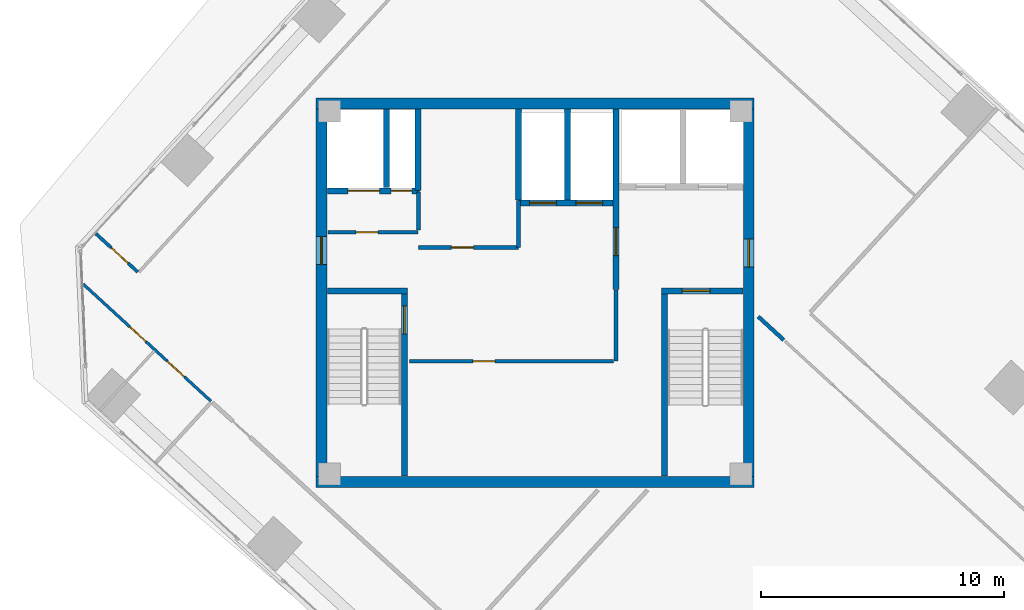
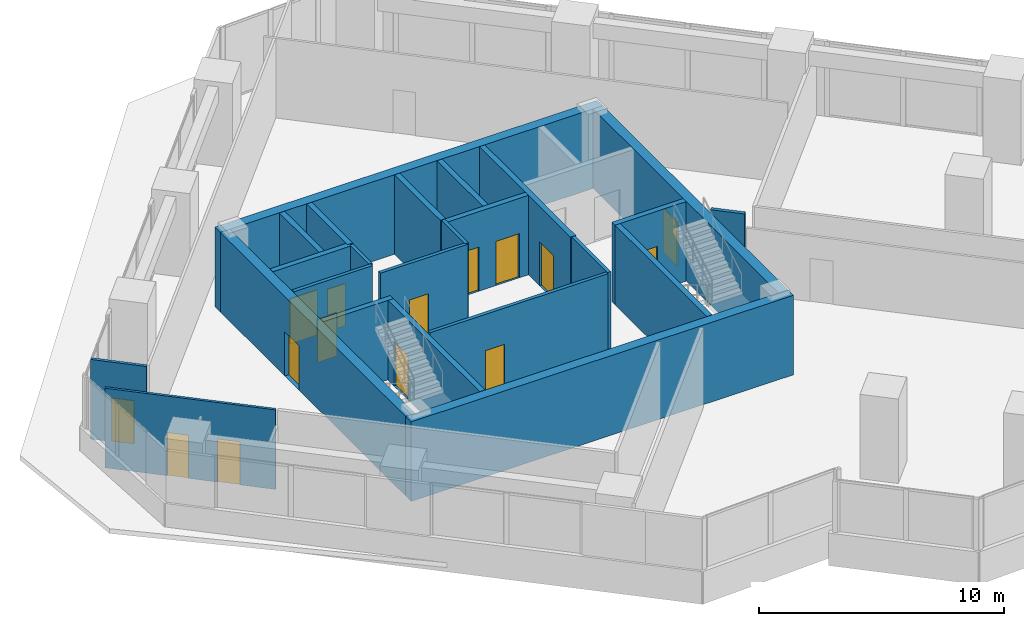
# One storey, part 14 of 19: 24 walls, 15 doors, 15 openings.
"""IFC4 building model written with IfcOpenShell, lengths in metres."""

from ifc_helpers import new_model, si_unit, direction, frame, frame_2d, origin, place, context, subcontext, project, spatial, rectangle, extrude, source, transform, mapped, material, layer, layer_set, type_object, element, fill, save


model = new_model("IFC4")

# Units and contexts
model_context = context("Model", 3, precision=1e-05, world=origin(), true_north=direction((0.0, 1.0)))
body_context = subcontext(model_context, "Body", "Model", "MODEL_VIEW")
ifc_project = project(units=[si_unit("LENGTHUNIT", "METRE"), si_unit("AREAUNIT", "SQUARE_METRE"), si_unit("VOLUMEUNIT", "CUBIC_METRE"), si_unit("PLANEANGLEUNIT", "RADIAN"), si_unit("MASSUNIT", "GRAM", prefix="KILO")], contexts=[model_context])

# Site, building, storey
site_placement = place(None, origin())
site = spatial("IfcSite", under=ifc_project, at=site_placement, CompositionType="ELEMENT")
building_placement = place(site_placement, origin())
building = spatial("IfcBuilding", under=site, at=building_placement, Name="Torre Montelarca", CompositionType="ELEMENT")
storey_placement = place(building_placement, frame((0.0, 0.0, 229.0)))
storey = spatial("IfcBuildingStorey", under=building, at=storey_placement, Name="L51", CompositionType="ELEMENT", Elevation=229.0)

# Wall, opening, door
ifc_material_1 = material(Name="Concrete C40/50", Category="concrete")
ifc_layer_1 = layer(ifc_material_1, 0.25, Name="Concrete C40/50", Category="concrete")
ifc_layer_set_1 = layer_set([ifc_layer_1], Name="Concrete C40/50")
wall_type_1 = type_object("IfcWallType", Name="CW-SHAFT-250", PredefinedType="SHEAR", material=ifc_layer_set_1)
wall_1_placement = place(storey_placement, frame((12.625, 24.4599609375, 0.0), z_axis=(0.0, 0.0, 1.0), x_axis=(0.0, 1.0, 0.0)))
wall_1 = element("IfcWall", 1, at=wall_1_placement, inside=storey, type_object=wall_type_1, Name="L51 Core Shear Wall SH-ST1-E", PredefinedType="SHEAR", context=body_context, shape_type="SweptSolid", body=[
    extrude(rectangle(XDim=7.489990234375, YDim=0.25, at=frame_2d((3.7451171875, 0.0))), origin(), (0.0, 0.0, 1.0), 3.9599609375),
])
opening_1_placement = place(wall_1_placement, frame((5.85009765625, 0.0, 0.0)))
opening_1 = element("IfcOpeningElement", 2, at=opening_1_placement, cuts=wall_1, Name="Opening FD-ST1", PredefinedType="OPENING", context=body_context, shape_type="SweptSolid", body=[
    extrude(rectangle(XDim=1.14990234375, YDim=2.199951171875, at=frame_2d((0.574951171875, 1.10009765625))), frame((0.0, 0.135009765625, 0.0), z_axis=(0.0, -1.0, 0.0), x_axis=(1.0, 0.0, 0.0)), (0.0, 0.0, 1.0), 0.27001953125),
])
ifc_material_2 = material(Name="Galvanized steel fire door", Category="steel")
door_type_1 = type_object("IfcDoorType", Name="DR-STAIR-115", OperationType="NOTDEFINED", PredefinedType="DOOR", material=ifc_material_2)
shared_shape_1 = source(origin(), body_context, "Body", "SweptSolid", [
    extrude(rectangle(XDim=1.14990234375, YDim=2.199951171875, at=frame_2d((0.574951171875, 1.10009765625))), frame((0.0, 0.02490234375, 0.0), z_axis=(0.0, -1.0, 0.0), x_axis=(1.0, 0.0, 0.0)), (0.0, 0.0, 1.0), 0.050048828125),
])
door_1_placement = place(opening_1_placement, origin())
door_1 = element("IfcDoor", 3, at=door_1_placement, inside=storey, type_object=door_type_1, Name="L51 Exit Stair ST1 Fire Door", OperationType="SINGLE_SWING_RIGHT", OverallHeight=2.199951171875, OverallWidth=1.14990234375, PredefinedType="DOOR", context=body_context, shape_type="MappedRepresentation", body=[
    mapped(shared_shape_1, transform((0.0, 0.0, 0.0), scale=1.0)),
])
fill(opening_1, door_1)

# Walls
wall_2_placement = place(storey_placement, frame((9.4599609375, 32.074951171875, 0.0), z_axis=(0.0, 0.0, 1.0), x_axis=(1.0, 0.0, 0.0)))
element("IfcWall", 4, at=wall_2_placement, inside=storey, type_object=wall_type_1, Name="L51 Core Shear Wall SH-ST1-N", PredefinedType="SHEAR", context=body_context, shape_type="SweptSolid", body=[
    extrude(rectangle(XDim=3.2900390625, YDim=0.25, at=frame_2d((1.64501953125, 0.0))), origin(), (0.0, 0.0, 1.0), 3.9599609375),
])
wall_3_placement = place(storey_placement, frame((23.31494140625, 24.4599609375, 0.0), z_axis=(0.0, 0.0, 1.0), x_axis=(0.0, 1.0, 0.0)))
element("IfcWall", 5, at=wall_3_placement, inside=storey, type_object=wall_type_1, Name="L51 Core Shear Wall SH-ST2-W", PredefinedType="SHEAR", context=body_context, shape_type="SweptSolid", body=[
    extrude(rectangle(XDim=7.489990234375, YDim=0.25, at=frame_2d((3.7451171875, 0.0))), origin(), (0.0, 0.0, 1.0), 3.9599609375),
])

# Wall, opening, door
wall_4_placement = place(storey_placement, frame((23.18994140625, 32.074951171875, 0.0), z_axis=(0.0, 0.0, 1.0), x_axis=(1.0, 0.0, 0.0)))
wall_4 = element("IfcWall", 6, at=wall_4_placement, inside=storey, type_object=wall_type_1, Name="L51 Core Shear Wall SH-ST2-N", PredefinedType="SHEAR", context=body_context, shape_type="SweptSolid", body=[
    extrude(rectangle(XDim=3.35009765625, YDim=0.25, at=frame_2d((1.675048828125, 0.0))), origin(), (0.0, 0.0, 1.0), 3.9599609375),
])
opening_2_placement = place(wall_4_placement, frame((0.85009765625, 0.0, 0.0)))
opening_2 = element("IfcOpeningElement", 7, at=opening_2_placement, cuts=wall_4, Name="Opening FD-ST1", PredefinedType="OPENING", context=body_context, shape_type="SweptSolid", body=[
    extrude(rectangle(XDim=1.14990234375, YDim=2.199951171875, at=frame_2d((0.574951171875, 1.10009765625))), frame((0.0, 0.135009765625, 0.0), z_axis=(0.0, -1.0, 0.0), x_axis=(1.0, 0.0, 0.0)), (0.0, 0.0, 1.0), 0.27001953125),
])
door_2_placement = place(opening_2_placement, origin())
door_2 = element("IfcDoor", 8, at=door_2_placement, inside=storey, type_object=door_type_1, Name="L51 Exit Stair ST2 Fire Door", OperationType="SINGLE_SWING_RIGHT", OverallHeight=2.199951171875, OverallWidth=1.14990234375, PredefinedType="DOOR", context=body_context, shape_type="MappedRepresentation", body=[
    mapped(shared_shape_1, transform((0.0, 0.0, 0.0), scale=1.0)),
])
fill(opening_2, door_2)

wall_5_placement = place(storey_placement, frame((21.320068359375, 32.1201171875, 0.0), z_axis=(0.0, 0.0, 1.0), x_axis=(0.0, 1.0, 0.0)))
wall_5 = element("IfcWall", 9, at=wall_5_placement, inside=storey, type_object=wall_type_1, Name="L51 Core Shear Wall SH-FFL-W", PredefinedType="SHEAR", context=body_context, shape_type="SweptSolid", body=[
    extrude(rectangle(XDim=7.419921875, YDim=0.25, at=frame_2d((3.7099609375, 0.0))), origin(), (0.0, 0.0, 1.0), 3.9599609375),
])
opening_3_placement = place(wall_5_placement, frame((1.39990234375, 0.0, 0.0)))
opening_3 = element("IfcOpeningElement", 10, at=opening_3_placement, cuts=wall_5, Name="Opening FD-LB1", PredefinedType="OPENING", context=body_context, shape_type="SweptSolid", body=[
    extrude(rectangle(XDim=1.14990234375, YDim=2.199951171875, at=frame_2d((0.574951171875, 1.10009765625))), frame((0.0, 0.135009765625, 0.0), z_axis=(0.0, -1.0, 0.0), x_axis=(1.0, 0.0, 0.0)), (0.0, 0.0, 1.0), 0.27001953125),
])
ifc_material_3 = material(Name="Acoustic timber-veneered fire door", Category="wood")
door_type_2 = type_object("IfcDoorType", Name="DR-LOBBY-115", OperationType="NOTDEFINED", PredefinedType="DOOR", material=ifc_material_3)
shared_shape_2 = source(origin(), body_context, "Body", "SweptSolid", [
    extrude(rectangle(XDim=1.14990234375, YDim=2.199951171875, at=frame_2d((0.574951171875, 1.10009765625))), frame((0.0, 0.02490234375, 0.0), z_axis=(0.0, -1.0, 0.0), x_axis=(1.0, 0.0, 0.0)), (0.0, 0.0, 1.0), 0.050048828125),
])
door_3_placement = place(opening_3_placement, origin())
door_3 = element("IfcDoor", 11, at=door_3_placement, inside=storey, type_object=door_type_2, Name="L51 Lift Lobby to Firefighting Lobby Smoke Door", OperationType="SINGLE_SWING_LEFT", OverallHeight=2.199951171875, OverallWidth=1.14990234375, PredefinedType="DOOR", context=body_context, shape_type="MappedRepresentation", body=[
    mapped(shared_shape_2, transform((0.0, 0.0, 0.0), scale=1.0)),
])
fill(opening_3, door_3)

# Wall, openings, doors
wall_6_placement = place(storey_placement, frame((9.4599609375, 36.179931640625, 0.0), z_axis=(0.0, 0.0, 1.0), x_axis=(1.0, 0.0, 0.0)))
wall_6 = element("IfcWall", 12, at=wall_6_placement, inside=storey, type_object=wall_type_1, Name="L51 Core Shear Wall SH-SV1-S", PredefinedType="SHEAR", context=body_context, shape_type="SweptSolid", body=[
    extrude(rectangle(XDim=3.7900390625, YDim=0.25, at=frame_2d((1.89501953125, 0.0))), origin(), (0.0, 0.0, 1.0), 3.9599609375),
])
opening_4_placement = place(wall_6_placement, frame((2.6201171875, 0.0, 0.0)))
opening_4 = element("IfcOpeningElement", 13, at=opening_4_placement, cuts=wall_6, Name="Opening FD-085", PredefinedType="OPENING", context=body_context, shape_type="SweptSolid", body=[
    extrude(rectangle(XDim=0.85009765625, YDim=2.10009765625, at=frame_2d((0.425048828125, 1.050048828125))), frame((0.0, 0.135009765625, 0.0), z_axis=(0.0, -1.0, 0.0), x_axis=(1.0, 0.0, 0.0)), (0.0, 0.0, 1.0), 0.27001953125),
])
opening_5_placement = place(wall_6_placement, frame((0.85009765625, 0.0, 0.0)))
opening_5 = element("IfcOpeningElement", 14, at=opening_5_placement, cuts=wall_6, Name="Opening LD-130", PredefinedType="OPENING", context=body_context, shape_type="SweptSolid", body=[
    extrude(rectangle(XDim=1.300048828125, YDim=2.25, at=frame_2d((0.64990234375, 1.125))), frame((0.0, 0.135009765625, 0.0), z_axis=(0.0, -1.0, 0.0), x_axis=(1.0, 0.0, 0.0)), (0.0, 0.0, 1.0), 0.27001953125),
])
ifc_material_4 = material(Name="Steel riser access fire door", Category="steel")
door_type_3 = type_object("IfcDoorType", Name="DR-RISER-085", OperationType="NOTDEFINED", PredefinedType="DOOR", material=ifc_material_4)
shared_shape_3 = source(origin(), body_context, "Body", "SweptSolid", [
    extrude(rectangle(XDim=0.85009765625, YDim=2.10009765625, at=frame_2d((0.425048828125, 1.050048828125))), frame((0.0, 0.02490234375, 0.0), z_axis=(0.0, -1.0, 0.0), x_axis=(1.0, 0.0, 0.0)), (0.0, 0.0, 1.0), 0.050048828125),
])
door_4_placement = place(opening_4_placement, origin())
door_4 = element("IfcDoor", 15, at=door_4_placement, inside=storey, type_object=door_type_3, Name="L51 Electrical Riser Shaft Access Door", OperationType="SINGLE_SWING_RIGHT", OverallHeight=2.10009765625, OverallWidth=0.85009765625, PredefinedType="DOOR", context=body_context, shape_type="MappedRepresentation", body=[
    mapped(shared_shape_3, transform((0.0, 0.0, 0.0), scale=1.0)),
])
fill(opening_4, door_4)
ifc_material_5 = material(Name="Brushed stainless steel AISI 316", Category="steel")
door_type_4 = type_object("IfcDoorType", Name="DR-LIFT-130", OperationType="SLIDING_TO_LEFT", PredefinedType="DOOR", material=ifc_material_5)
shared_shape_4 = source(origin(), body_context, "Body", "SweptSolid", [
    extrude(rectangle(XDim=1.300048828125, YDim=2.25, at=frame_2d((0.64990234375, 1.125))), frame((0.0, 0.02490234375, 0.0), z_axis=(0.0, -1.0, 0.0), x_axis=(1.0, 0.0, 0.0)), (0.0, 0.0, 1.0), 0.050048828125),
])
door_5_placement = place(opening_5_placement, origin())
door_5 = element("IfcDoor", 16, at=door_5_placement, inside=storey, type_object=door_type_4, Name="L51 Lift Landing Sliding Door SV-1", OperationType="SLIDING_TO_LEFT", OverallHeight=2.25, OverallWidth=1.300048828125, PredefinedType="DOOR", context=body_context, shape_type="MappedRepresentation", body=[
    mapped(shared_shape_4, transform((0.0, 0.0, 0.0), scale=1.0)),
])
fill(opening_5, door_5)

# Walls
wall_7_placement = place(storey_placement, frame((11.89990234375, 36.31005859375, 0.0), z_axis=(0.0, 0.0, 1.0), x_axis=(0.0, 1.0, 0.0)))
element("IfcWall", 17, at=wall_7_placement, inside=storey, type_object=wall_type_1, Name="L51 Core Shear Wall SH-SV1-E", PredefinedType="SHEAR", context=body_context, shape_type="SweptSolid", body=[
    extrude(rectangle(XDim=3.22998046875, YDim=0.25, at=frame_2d((1.614990234375, 0.0))), origin(), (0.0, 0.0, 1.0), 3.9599609375),
])
wall_8_placement = place(storey_placement, frame((13.179931640625, 36.199951171875, 0.0), z_axis=(0.0, 0.0, 1.0), x_axis=(0.0, 1.0, 0.0)))
element("IfcWall", 18, at=wall_8_placement, inside=storey, type_object=wall_type_1, Name="L51 Core Shear Wall SH-RSR1-E", PredefinedType="SHEAR", context=body_context, shape_type="SweptSolid", body=[
    extrude(rectangle(XDim=3.340087890625, YDim=0.25, at=frame_2d((1.669921875, 0.0))), origin(), (0.0, 0.0, 1.0), 3.9599609375),
])

# Wall, openings, doors
wall_9_placement = place(storey_placement, frame((17.320068359375, 35.679931640625, 0.0), z_axis=(0.0, 0.0, 1.0), x_axis=(1.0, 0.0, 0.0)))
wall_9 = element("IfcWall", 19, at=wall_9_placement, inside=storey, type_object=wall_type_1, Name="L51 Core Shear Wall SH-PLH-S", PredefinedType="SHEAR", context=body_context, shape_type="SweptSolid", body=[
    extrude(rectangle(XDim=3.869873046875, YDim=0.25, at=frame_2d((1.93505859375, 0.0))), origin(), (0.0, 0.0, 1.0), 3.9599609375),
])
opening_6_placement = place(wall_9_placement, frame((0.449951171875, 0.0, 0.0)))
opening_6 = element("IfcOpeningElement", 20, at=opening_6_placement, cuts=wall_9, Name="Opening LD-110", PredefinedType="OPENING", context=body_context, shape_type="SweptSolid", body=[
    extrude(rectangle(XDim=1.10009765625, YDim=2.199951171875, at=frame_2d((0.550048828125, 1.10009765625))), frame((0.0, 0.135009765625, 0.0), z_axis=(0.0, -1.0, 0.0), x_axis=(1.0, 0.0, 0.0)), (0.0, 0.0, 1.0), 0.27001953125),
])
opening_7_placement = place(wall_9_placement, frame((2.35009765625, 0.0, 0.0)))
opening_7 = element("IfcOpeningElement", 21, at=opening_7_placement, cuts=wall_9, Name="Opening LD-110", PredefinedType="OPENING", context=body_context, shape_type="SweptSolid", body=[
    extrude(rectangle(XDim=1.10009765625, YDim=2.199951171875, at=frame_2d((0.550048828125, 1.10009765625))), frame((0.0, 0.135009765625, 0.0), z_axis=(0.0, -1.0, 0.0), x_axis=(1.0, 0.0, 0.0)), (0.0, 0.0, 1.0), 0.27001953125),
])
door_type_5 = type_object("IfcDoorType", Name="DR-LIFT-110", OperationType="SLIDING_TO_LEFT", PredefinedType="DOOR", material=ifc_material_5)
shared_shape_5 = source(origin(), body_context, "Body", "SweptSolid", [
    extrude(rectangle(XDim=1.10009765625, YDim=2.199951171875, at=frame_2d((0.550048828125, 1.10009765625))), frame((0.0, 0.02490234375, 0.0), z_axis=(0.0, -1.0, 0.0), x_axis=(1.0, 0.0, 0.0)), (0.0, 0.0, 1.0), 0.050048828125),
])
door_6_placement = place(opening_6_placement, origin())
door_6 = element("IfcDoor", 22, at=door_6_placement, inside=storey, type_object=door_type_5, Name="L51 Lift Landing Sliding Door PL-H1", OperationType="SLIDING_TO_LEFT", OverallHeight=2.199951171875, OverallWidth=1.10009765625, PredefinedType="DOOR", context=body_context, shape_type="MappedRepresentation", body=[
    mapped(shared_shape_5, transform((0.0, 0.0, 0.0), scale=1.0)),
])
fill(opening_6, door_6)
door_7_placement = place(opening_7_placement, origin())
door_7 = element("IfcDoor", 23, at=door_7_placement, inside=storey, type_object=door_type_5, Name="L51 Lift Landing Sliding Door PL-H2", OperationType="SLIDING_TO_RIGHT", OverallHeight=2.199951171875, OverallWidth=1.10009765625, PredefinedType="DOOR", context=body_context, shape_type="MappedRepresentation", body=[
    mapped(shared_shape_5, transform((0.0, 0.0, 0.0), scale=1.0)),
])
fill(opening_7, door_7)

# Walls
for number, where, z_axis, x_axis, name in (
    (24, (17.320068359375, 35.81005859375, 0.0), (0.0, 0.0, 1.0), (0.0, 1.0, 0.0), "L51 Core Shear Wall SH-PLH-W"),
    (25, (19.320068359375, 35.81005859375, 0.0), (0.0, 0.0, 1.0), (0.0, 1.0, 0.0), "L51 Core Shear Wall SH-PLH-M"),
):
    element("IfcWall", number, at=place(storey_placement, frame(where, z_axis=z_axis, x_axis=x_axis)), inside=storey, type_object=wall_type_1, Name=name, PredefinedType="SHEAR", context=body_context, shape_type="SweptSolid", body=[
        extrude(rectangle(XDim=3.72998046875, YDim=0.25, at=frame_2d((1.864990234375, 0.0))), origin(), (0.0, 0.0, 1.0), 3.9599609375),
    ])

# Wall, opening, door
ifc_material_6 = material(Name="Concrete C55/67", Category="concrete")
ifc_layer_2 = layer(ifc_material_6, 0.449951171875, Name="Concrete C55/67", Category="concrete")
ifc_layer_set_2 = layer_set([ifc_layer_2], Name="Concrete C55/67")
wall_type_2 = type_object("IfcWallType", Name="CW-SHEAR-450", PredefinedType="SHEAR", material=ifc_layer_set_2)
wall_10_placement = place(storey_placement, frame((9.22509765625, 24.449951171875, 0.0), z_axis=(0.0, 0.0, 1.0), x_axis=(0.0, 1.0, 0.0)))
wall_10 = element("IfcWall", 26, at=wall_10_placement, inside=storey, type_object=wall_type_2, Name="L51 Core Shear Wall CW-W", PredefinedType="SHEAR", context=body_context, shape_type="SweptSolid", body=[
    extrude(rectangle(XDim=15.10009765625, YDim=0.449951171875, at=frame_2d((7.550048828125, 0.0))), origin(), (0.0, 0.0, 1.0), 3.9599609375),
])
opening_8_placement = place(wall_10_placement, frame((8.699951171875, 0.0, 0.0)))
opening_8 = element("IfcOpeningElement", 27, at=opening_8_placement, cuts=wall_10, Name="Opening FD-LB1", PredefinedType="OPENING", context=body_context, shape_type="SweptSolid", body=[
    extrude(rectangle(XDim=1.14990234375, YDim=2.199951171875, at=frame_2d((0.574951171875, 1.10009765625))), frame((0.0, 0.23486328125, 0.0), z_axis=(0.0, -1.0, 0.0), x_axis=(1.0, 0.0, 0.0)), (0.0, 0.0, 1.0), 0.469970703125),
])
door_8_placement = place(opening_8_placement, origin())
door_8 = element("IfcDoor", 28, at=door_8_placement, inside=storey, type_object=door_type_2, Name="L51 Passenger Lift Lobby West Corridor Fire Door", OperationType="SINGLE_SWING_RIGHT", OverallHeight=2.199951171875, OverallWidth=1.14990234375, PredefinedType="DOOR", context=body_context, shape_type="MappedRepresentation", body=[
    mapped(shared_shape_2, transform((0.0, 0.0, 0.0), scale=1.0)),
])
fill(opening_8, door_8)

wall_11_placement = place(storey_placement, frame((26.77490234375, 24.449951171875, 0.0), z_axis=(0.0, 0.0, 1.0), x_axis=(0.0, 1.0, 0.0)))
wall_11 = element("IfcWall", 29, at=wall_11_placement, inside=storey, type_object=wall_type_2, Name="L51 Core Shear Wall CW-E", PredefinedType="SHEAR", context=body_context, shape_type="SweptSolid", body=[
    extrude(rectangle(XDim=15.10009765625, YDim=0.449951171875, at=frame_2d((7.550048828125, 0.0))), origin(), (0.0, 0.0, 1.0), 3.9599609375),
])
opening_9_placement = place(wall_11_placement, frame((8.60009765625, 0.0, 0.0)))
opening_9 = element("IfcOpeningElement", 30, at=opening_9_placement, cuts=wall_11, Name="Opening FD-LB1", PredefinedType="OPENING", context=body_context, shape_type="SweptSolid", body=[
    extrude(rectangle(XDim=1.14990234375, YDim=2.199951171875, at=frame_2d((0.574951171875, 1.10009765625))), frame((0.0, 0.23486328125, 0.0), z_axis=(0.0, -1.0, 0.0), x_axis=(1.0, 0.0, 0.0)), (0.0, 0.0, 1.0), 0.469970703125),
])
door_9_placement = place(opening_9_placement, origin())
door_9 = element("IfcDoor", 31, at=door_9_placement, inside=storey, type_object=door_type_2, Name="L51 Firefighting Lift Lobby Corridor Fire Door", OperationType="SINGLE_SWING_RIGHT", OverallHeight=2.199951171875, OverallWidth=1.14990234375, PredefinedType="DOOR", context=body_context, shape_type="MappedRepresentation", body=[
    mapped(shared_shape_2, transform((0.0, 0.0, 0.0), scale=1.0)),
])
fill(opening_9, door_9)

# Walls
for number, where, z_axis, x_axis, name in (
    (32, (9.0, 24.22509765625, 0.0), (0.0, 0.0, 1.0), (1.0, 0.0, 0.0), "L51 Core Shear Wall CW-S1"),
    (33, (9.0, 39.77490234375, 0.0), (0.0, 0.0, 1.0), (1.0, 0.0, 0.0), "L51 Core Shear Wall CW-N1"),
):
    element("IfcWall", number, at=place(storey_placement, frame(where, z_axis=z_axis, x_axis=x_axis)), inside=storey, type_object=wall_type_2, Name=name, PredefinedType="SHEAR", context=body_context, shape_type="SweptSolid", body=[
        extrude(rectangle(XDim=18.0, YDim=0.449951171875, at=frame_2d((9.0, 0.0))), origin(), (0.0, 0.0, 1.0), 3.9599609375),
    ])

# Wall, opening, door
ifc_material_7 = material(Name="Gypsum plasterboard on steel stud", Category="steel")
ifc_layer_3 = layer(ifc_material_7, 0.159912109375, Name="Gypsum plasterboard on steel stud", Category="steel")
ifc_layer_set_3 = layer_set([ifc_layer_3], Name="Gypsum plasterboard on steel stud")
wall_type_3 = type_object("IfcWallType", Name="PW-FIRE-160", PredefinedType="PARTITIONING", material=ifc_layer_set_3)
wall_12_placement = place(storey_placement, frame((9.489990234375, 34.47998046875, 0.0), z_axis=(0.0, 0.0, 1.0), x_axis=(1.0, 0.0, 0.0)))
wall_12 = element("IfcWall", 34, at=wall_12_placement, inside=storey, type_object=wall_type_3, Name="L51 Interior Partition CW-L51-SVS", PredefinedType="PARTITIONING", context=body_context, shape_type="SweptSolid", body=[
    extrude(rectangle(XDim=3.699951171875, YDim=0.159912109375, at=frame_2d((1.85009765625, 0.0))), origin(), (0.0, 0.0, 1.0), 3.9599609375),
])
opening_10_placement = place(wall_12_placement, frame((1.14990234375, 0.0, 0.0)))
opening_10 = element("IfcOpeningElement", 35, at=opening_10_placement, cuts=wall_12, Name="Opening FD-090", PredefinedType="OPENING", context=body_context, shape_type="SweptSolid", body=[
    extrude(rectangle(XDim=0.89990234375, YDim=2.14990234375, at=frame_2d((0.449951171875, 1.074951171875))), frame((0.0, 0.08984375, 0.0), z_axis=(0.0, -1.0, 0.0), x_axis=(1.0, 0.0, 0.0)), (0.0, 0.0, 1.0), 0.179931640625),
])
ifc_material_8 = material(Name="Steel service fire door", Category="steel")
door_type_6 = type_object("IfcDoorType", Name="DR-FIRE-090", OperationType="NOTDEFINED", PredefinedType="DOOR", material=ifc_material_8)
shared_shape_6 = source(origin(), body_context, "Body", "SweptSolid", [
    extrude(rectangle(XDim=0.89990234375, YDim=2.14990234375, at=frame_2d((0.449951171875, 1.074951171875))), frame((0.0, 0.02490234375, 0.0), z_axis=(0.0, -1.0, 0.0), x_axis=(1.0, 0.0, 0.0)), (0.0, 0.0, 1.0), 0.050048828125),
])
door_10_placement = place(opening_10_placement, origin())
door_10 = element("IfcDoor", 36, at=door_10_placement, inside=storey, type_object=door_type_6, Name="L51 Interior Door 01", OperationType="SINGLE_SWING_RIGHT", OverallHeight=2.14990234375, OverallWidth=0.89990234375, PredefinedType="DOOR", context=body_context, shape_type="MappedRepresentation", body=[
    mapped(shared_shape_6, transform((0.0, 0.0, 0.0), scale=1.0)),
])
fill(opening_10, door_10)

# Wall
wall_13_placement = place(storey_placement, frame((13.199951171875, 34.570068359375, 0.0), z_axis=(0.0, 0.0, 1.0), x_axis=(0.0, 1.0, 0.0)))
element("IfcWall", 37, at=wall_13_placement, inside=storey, type_object=wall_type_3, Name="L51 Interior Partition CW-L51-SVE", PredefinedType="PARTITIONING", context=body_context, shape_type="SweptSolid", body=[
    extrude(rectangle(XDim=1.56982421875, YDim=0.159912109375, at=frame_2d((0.784912109375, 0.0))), origin(), (0.0, 0.0, 1.0), 3.9599609375),
])

# Wall, opening, door
wall_14_placement = place(storey_placement, frame((13.2099609375, 33.85009765625, 0.0), z_axis=(0.0, 0.0, 1.0), x_axis=(1.0, 0.0, 0.0)))
wall_14 = element("IfcWall", 38, at=wall_14_placement, inside=storey, type_object=wall_type_3, Name="L51 Interior Partition CW-L51-FRMS", PredefinedType="PARTITIONING", context=body_context, shape_type="SweptSolid", body=[
    extrude(rectangle(XDim=4.10009765625, YDim=0.159912109375, at=frame_2d((2.050048828125, 0.0))), origin(), (0.0, 0.0, 1.0), 3.9599609375),
])
opening_11_placement = place(wall_14_placement, frame((1.35009765625, 0.0, 0.0)))
opening_11 = element("IfcOpeningElement", 39, at=opening_11_placement, cuts=wall_14, Name="Opening FD-090", PredefinedType="OPENING", context=body_context, shape_type="SweptSolid", body=[
    extrude(rectangle(XDim=0.89990234375, YDim=2.14990234375, at=frame_2d((0.449951171875, 1.074951171875))), frame((0.0, 0.08984375, 0.0), z_axis=(0.0, -1.0, 0.0), x_axis=(1.0, 0.0, 0.0)), (0.0, 0.0, 1.0), 0.179931640625),
])
door_11_placement = place(opening_11_placement, origin())
door_11 = element("IfcDoor", 40, at=door_11_placement, inside=storey, type_object=door_type_6, Name="L51 Interior Door 02", OperationType="SINGLE_SWING_LEFT", OverallHeight=2.14990234375, OverallWidth=0.89990234375, PredefinedType="DOOR", context=body_context, shape_type="MappedRepresentation", body=[
    mapped(shared_shape_6, transform((0.0, 0.0, 0.0), scale=1.0)),
])
fill(opening_11, door_11)

# Wall
wall_15_placement = place(storey_placement, frame((17.320068359375, 33.860107421875, 0.0), z_axis=(0.0, 0.0, 1.0), x_axis=(0.0, 1.0, 0.0)))
element("IfcWall", 41, at=wall_15_placement, inside=storey, type_object=wall_type_3, Name="L51 Interior Partition CW-L51-FRME", PredefinedType="PARTITIONING", context=body_context, shape_type="SweptSolid", body=[
    extrude(rectangle(XDim=1.929931640625, YDim=0.159912109375, at=frame_2d((0.96484375, 0.0))), origin(), (0.0, 0.0, 1.0), 3.9599609375),
])

# Wall, opening, door
wall_16_placement = place(storey_placement, frame((12.840087890625, 29.179931640625, 0.0), z_axis=(0.0, 0.0, 1.0), x_axis=(1.0, 0.0, 0.0)))
wall_16 = element("IfcWall", 42, at=wall_16_placement, inside=storey, type_object=wall_type_3, Name="L51 Interior Partition CW-L51-FRDN", PredefinedType="PARTITIONING", context=body_context, shape_type="SweptSolid", body=[
    extrude(rectangle(XDim=8.369873046875, YDim=0.159912109375, at=frame_2d((4.18505859375, 0.0))), origin(), (0.0, 0.0, 1.0), 3.9599609375),
])
opening_12_placement = place(wall_16_placement, frame((2.60009765625, 0.0, 0.0)))
opening_12 = element("IfcOpeningElement", 43, at=opening_12_placement, cuts=wall_16, Name="Opening FD-090", PredefinedType="OPENING", context=body_context, shape_type="SweptSolid", body=[
    extrude(rectangle(XDim=0.89990234375, YDim=2.14990234375, at=frame_2d((0.449951171875, 1.074951171875))), frame((0.0, 0.08984375, 0.0), z_axis=(0.0, -1.0, 0.0), x_axis=(1.0, 0.0, 0.0)), (0.0, 0.0, 1.0), 0.179931640625),
])
door_12_placement = place(opening_12_placement, origin())
door_12 = element("IfcDoor", 44, at=door_12_placement, inside=storey, type_object=door_type_6, Name="L51 Interior Door 03", OperationType="SINGLE_SWING_LEFT", OverallHeight=2.14990234375, OverallWidth=0.89990234375, PredefinedType="DOOR", context=body_context, shape_type="MappedRepresentation", body=[
    mapped(shared_shape_6, transform((0.0, 0.0, 0.0), scale=1.0)),
])
fill(opening_12, door_12)

# Walls
wall_17_placement = place(storey_placement, frame((21.320068359375, 29.18994140625, 0.0), z_axis=(0.0, 0.0, 1.0), x_axis=(0.0, 1.0, 0.0)))
element("IfcWall", 45, at=wall_17_placement, inside=storey, type_object=wall_type_3, Name="L51 Interior Partition CW-L51-FRE", PredefinedType="PARTITIONING", context=body_context, shape_type="SweptSolid", body=[
    extrude(rectangle(XDim=2.920166015625, YDim=0.159912109375, at=frame_2d((1.4599609375, 0.0))), origin(), (0.0, 0.0, 1.0), 3.9599609375),
])
wall_18_placement = place(storey_placement, frame((27.162841796875, 31.015625, 0.0), z_axis=(0.0, 0.0, 1.0), x_axis=(0.737296869908, -0.675568890361, 0.0)))
element("IfcWall", 46, at=wall_18_placement, inside=storey, type_object=wall_type_3, Name="L51 Interior Partition W-L51-SOCCN3", PredefinedType="PARTITIONING", context=body_context, shape_type="SweptSolid", body=[
    extrude(rectangle(XDim=1.419921875, YDim=0.159912109375, at=frame_2d((0.7099609375, 0.0))), origin(), (0.0, 0.0, 1.0), 3.9599609375),
])

# Wall, openings, doors
ifc_layer_4 = layer(ifc_material_7, 0.114990234375, Name="Gypsum plasterboard on steel stud", Category="steel")
ifc_layer_set_4 = layer_set([ifc_layer_4], Name="Gypsum plasterboard on steel stud")
wall_type_4 = type_object("IfcWallType", Name="PW-PART-115", PredefinedType="PARTITIONING", material=ifc_layer_set_4)
wall_19_placement = place(storey_placement, frame((-0.5712890625, 32.354248046875, 0.0), z_axis=(0.0, 0.0, 1.0), x_axis=(0.737285035525, -0.675581805846, 0.0)))
wall_19 = element("IfcWall", 47, at=wall_19_placement, inside=storey, type_object=wall_type_4, Name="L51 Interior Partition W-L51-WCN", PredefinedType="PARTITIONING", context=body_context, shape_type="SweptSolid", body=[
    extrude(rectangle(XDim=7.1220703125, YDim=0.114990234375, at=frame_2d((3.56103515625, 0.0))), origin(), (0.0, 0.0, 1.0), 3.9599609375),
])
opening_13_placement = place(wall_19_placement, frame((2.60009765625, 0.0, 0.0)))
opening_13 = element("IfcOpeningElement", 48, at=opening_13_placement, cuts=wall_19, Name="Opening ID-090", PredefinedType="OPENING", context=body_context, shape_type="SweptSolid", body=[
    extrude(rectangle(XDim=0.89990234375, YDim=2.14990234375, at=frame_2d((0.449951171875, 1.074951171875))), frame((0.0, 0.0673828125, 0.0), z_axis=(0.0, -1.0, 0.0), x_axis=(1.0, 0.0, 0.0)), (0.0, 0.0, 1.0), 0.135009765625),
])
opening_14_placement = place(wall_19_placement, frame((4.699951171875, 0.0, 0.0)))
opening_14 = element("IfcOpeningElement", 49, at=opening_14_placement, cuts=wall_19, Name="Opening ID-095", PredefinedType="OPENING", context=body_context, shape_type="SweptSolid", body=[
    extrude(rectangle(XDim=0.949951171875, YDim=2.14990234375, at=frame_2d((0.47509765625, 1.074951171875))), frame((0.0, 0.0673828125, 0.0), z_axis=(0.0, -1.0, 0.0), x_axis=(1.0, 0.0, 0.0)), (0.0, 0.0, 1.0), 0.135009765625),
])
ifc_material_9 = material(Name="Hardwood acoustic timber veneer", Category="wood")
door_type_7 = type_object("IfcDoorType", Name="DR-INT-090", OperationType="NOTDEFINED", PredefinedType="DOOR", material=ifc_material_9)
shared_shape_7 = source(origin(), body_context, "Body", "SweptSolid", [
    extrude(rectangle(XDim=0.89990234375, YDim=2.14990234375, at=frame_2d((0.449951171875, 1.074951171875))), frame((0.0, 0.02490234375, 0.0), z_axis=(0.0, -1.0, 0.0), x_axis=(1.0, 0.0, 0.0)), (0.0, 0.0, 1.0), 0.050048828125),
])
door_13_placement = place(opening_13_placement, origin())
door_13 = element("IfcDoor", 50, at=door_13_placement, inside=storey, type_object=door_type_7, Name="L51 Interior Door 04", OperationType="SINGLE_SWING_LEFT", OverallHeight=2.14990234375, OverallWidth=0.89990234375, PredefinedType="DOOR", context=body_context, shape_type="MappedRepresentation", body=[
    mapped(shared_shape_7, transform((0.0, 0.0, 0.0), scale=1.0)),
])
fill(opening_13, door_13)
door_type_8 = type_object("IfcDoorType", Name="DR-INT-095", OperationType="NOTDEFINED", PredefinedType="DOOR", material=ifc_material_9)
shared_shape_8 = source(origin(), body_context, "Body", "SweptSolid", [
    extrude(rectangle(XDim=0.949951171875, YDim=2.14990234375, at=frame_2d((0.47509765625, 1.074951171875))), frame((0.0, 0.02490234375, 0.0), z_axis=(0.0, -1.0, 0.0), x_axis=(1.0, 0.0, 0.0)), (0.0, 0.0, 1.0), 0.050048828125),
])
door_14_placement = place(opening_14_placement, origin())
door_14 = element("IfcDoor", 51, at=door_14_placement, inside=storey, type_object=door_type_8, Name="L51 Interior Door 05", OperationType="SINGLE_SWING_RIGHT", OverallHeight=2.14990234375, OverallWidth=0.949951171875, PredefinedType="DOOR", context=body_context, shape_type="MappedRepresentation", body=[
    mapped(shared_shape_8, transform((0.0, 0.0, 0.0), scale=1.0)),
])
fill(opening_14, door_14)

# Wall, opening, door
ifc_layer_5 = layer(ifc_material_7, 0.135009765625, Name="Gypsum plasterboard on steel stud", Category="steel")
ifc_layer_set_5 = layer_set([ifc_layer_5], Name="Gypsum plasterboard on steel stud")
wall_type_5 = type_object("IfcWallType", Name="PW-PART-135", PredefinedType="PARTITIONING", material=ifc_layer_set_5)
wall_20_placement = place(storey_placement, frame((-0.04443359375, 34.42138671875, 0.0), z_axis=(0.0, 0.0, 1.0), x_axis=(0.73728894688, -0.675577537229, 0.0)))
wall_20 = element("IfcWall", 52, at=wall_20_placement, inside=storey, type_object=wall_type_5, Name="L51 Interior Partition W-L51-WPKS", PredefinedType="PARTITIONING", context=body_context, shape_type="SweptSolid", body=[
    extrude(rectangle(XDim=2.330078125, YDim=0.135009765625, at=frame_2d((1.1650390625, 0.0))), origin(), (0.0, 0.0, 1.0), 3.9599609375),
])
opening_15_placement = place(wall_20_placement, frame((0.85009765625, 0.0, 0.0)))
opening_15 = element("IfcOpeningElement", 53, at=opening_15_placement, cuts=wall_20, Name="Opening ID-095", PredefinedType="OPENING", context=body_context, shape_type="SweptSolid", body=[
    extrude(rectangle(XDim=0.949951171875, YDim=2.14990234375, at=frame_2d((0.47509765625, 1.074951171875))), frame((0.0, 0.07763671875, 0.0), z_axis=(0.0, -1.0, 0.0), x_axis=(1.0, 0.0, 0.0)), (0.0, 0.0, 1.0), 0.155029296875),
])
door_15_placement = place(opening_15_placement, origin())
door_15 = element("IfcDoor", 54, at=door_15_placement, inside=storey, type_object=door_type_8, Name="L51 Interior Door 08", OperationType="SINGLE_SWING_LEFT", OverallHeight=2.14990234375, OverallWidth=0.949951171875, PredefinedType="DOOR", context=body_context, shape_type="MappedRepresentation", body=[
    mapped(shared_shape_8, transform((0.0, 0.0, 0.0), scale=1.0)),
])
fill(opening_15, door_15)

save(model, "model.ifc")
